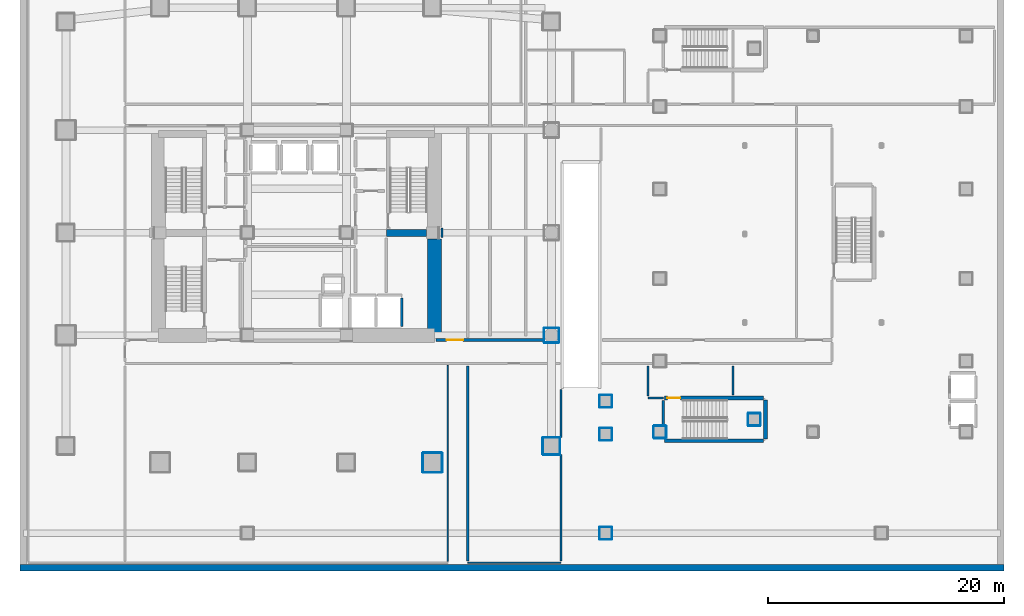
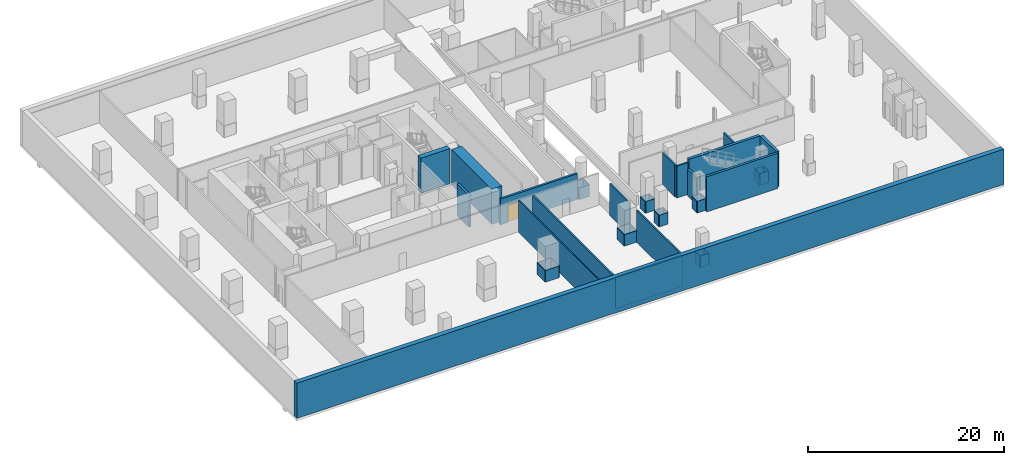
# One storey, part 9 of 22: 50 walls, 2 doors, 2 openings.
"""IFC4 building model written with IfcOpenShell, lengths in metres."""

import ifcopenshell
import ifcopenshell.guid

model = None  # the IFC model being written
_history = None  # IfcOwnerHistory: only IFC2X3 demands one
_inside = {}  # id of a spatial element -> (the spatial element, [elements in it])
_under = {}  # id of a project, library or spatial element -> (it, [spatial elements below it])
_declared = {}  # id of a project -> (the project, [libraries it declares])
_typed = {}  # id of a type object -> (the type object, [elements of that type])
_made_of = {}  # id of a material, layer set ... -> (it, [elements and type objects made of it])


def new_model(schema):
    """Start an empty IFC model of exactly this schema.

    Asked for "IFC4X3", IfcOpenShell would pick the latest addendum, in which some entities
    have other attributes; the version numbers below select the first issue.
    IFC2X3 requires an IfcOwnerHistory on every rooted entity: one is made here for all.
    """
    global model, _history
    if schema == "IFC4X3":
        model = ifcopenshell.file(schema_version=(4, 3, 0, 0))
    else:
        model = ifcopenshell.file(schema=schema)
    _inside.clear()
    _under.clear()
    _declared.clear()
    _typed.clear()
    _made_of.clear()
    _history = None
    if model.schema == "IFC2X3":
        org = make("IfcOrganization", Name="unknown")
        user = make(
            "IfcPersonAndOrganization",
            ThePerson=make("IfcPerson", FamilyName="unknown"),
            TheOrganization=org,
        )
        app = make(
            "IfcApplication",
            ApplicationDeveloper=org,
            Version="unknown",
            ApplicationFullName="unknown",
            ApplicationIdentifier="unknown",
        )
        _history = make(
            "IfcOwnerHistory",
            OwningUser=user,
            OwningApplication=app,
            ChangeAction="ADDED",
            CreationDate=0,
        )
    return model


def make(cls, **values):
    """One entity of the class cls with the attributes given. An attribute that is None is left unset."""
    return model.create_entity(
        cls, **{name: value for name, value in values.items() if value is not None}
    )


def rooted(cls, **values):
    """An entity with a GlobalId (a new one), such as an element, a storey or a relation."""
    return make(cls, GlobalId=ifcopenshell.guid.new(), OwnerHistory=_history, **values)


def si_unit(unit_type, name, prefix=None):
    """IfcSIUnit, for example si_unit("LENGTHUNIT", "METRE", prefix="MILLI")."""
    return make("IfcSIUnit", UnitType=unit_type, Prefix=prefix, Name=name)


def assignment(units):
    """IfcUnitAssignment: the units of a project."""
    return None if units is None else make("IfcUnitAssignment", Units=units)


def point(xyz):
    """IfcCartesianPoint."""
    return None if xyz is None else make("IfcCartesianPoint", Coordinates=xyz)


def direction(xyz):
    """IfcDirection."""
    return None if xyz is None else make("IfcDirection", DirectionRatios=xyz)


def frame(location, z_axis=None, x_axis=None):
    """IfcAxis2Placement3D, a coordinate frame: its origin and axes. An axis left out is left unset."""
    return make(
        "IfcAxis2Placement3D",
        Location=point(location),
        Axis=direction(z_axis),
        RefDirection=direction(x_axis),
    )


def frame_2d(location, x_axis=None):
    """IfcAxis2Placement2D, a coordinate frame in the plane: its origin and x axis."""
    return make(
        "IfcAxis2Placement2D", Location=point(location), RefDirection=direction(x_axis)
    )


def origin():
    """The frame at (0, 0, 0) with its axes left unset."""
    return frame((0.0, 0.0, 0.0))


def place(relative_to, where):
    """IfcLocalPlacement: puts the frame where relative to a parent placement (None: the world)."""
    return make(
        "IfcLocalPlacement", PlacementRelTo=relative_to, RelativePlacement=where
    )


def context(
    kind, dimensions, precision=None, world=None, true_north=None, identifier=None
):
    """IfcGeometricRepresentationContext, for example the 3D "Model" context."""
    return make(
        "IfcGeometricRepresentationContext",
        ContextIdentifier=identifier,
        ContextType=kind,
        CoordinateSpaceDimension=dimensions,
        Precision=precision,
        WorldCoordinateSystem=world,
        TrueNorth=true_north,
    )


def subcontext(parent, identifier, kind, view, scale=None):
    """IfcGeometricRepresentationSubContext, for example "Body" below "Model"."""
    return make(
        "IfcGeometricRepresentationSubContext",
        ContextIdentifier=identifier,
        ContextType=kind,
        ParentContext=parent,
        TargetScale=scale,
        TargetView=view,
    )


def project(units=None, contexts=None):
    """IfcProject with its units and contexts."""
    return rooted(
        "IfcProject",
        Name="project",
        RepresentationContexts=contexts,
        UnitsInContext=assignment(units),
    )


def spatial(cls, under=None, at=None, **own):
    """A site, building, storey or space (cls), placed at a placement, below another one or the project."""
    s = rooted(cls, ObjectPlacement=at, **own)
    if under is not None:
        _under.setdefault(under.id(), (under, []))[1].append(s)
    return s


def profile(cls, at=None, kind="AREA", **sizes):
    """A parametric profile (cls). Its sizes go by their IFC names, for example OverallWidth=200.0."""
    return make(cls, ProfileType=kind, Position=at, **sizes)


def rectangle(**sizes):
    """IfcRectangleProfileDef."""
    return profile("IfcRectangleProfileDef", **sizes)


def extrude(swept, where, along, depth):
    """IfcExtrudedAreaSolid: the profile swept, set in the frame where, extruded along a direction by depth."""
    return make(
        "IfcExtrudedAreaSolid",
        SweptArea=swept,
        Position=where,
        ExtrudedDirection=direction(along),
        Depth=depth,
    )


def shape(context_of_items, identifier, shape_type, items):
    """IfcShapeRepresentation: the items that make up one representation, for example the "Body"."""
    return make(
        "IfcShapeRepresentation",
        ContextOfItems=context_of_items,
        RepresentationIdentifier=identifier,
        RepresentationType=shape_type,
        Items=items,
    )


def material(Name=None, Category=None):
    """IfcMaterial."""
    return make("IfcMaterial", Name=Name, Category=Category)


def layer(
    of_material, thickness, ventilated=None, Name=None, Category=None, Priority=None
):
    """IfcMaterialLayer: one layer of a wall or slab, of a material (None: an air gap)."""
    return make(
        "IfcMaterialLayer",
        Material=of_material,
        LayerThickness=thickness,
        IsVentilated=ventilated,
        Name=Name,
        Category=Category,
        Priority=Priority,
    )


def layer_set(layers, Name=None):
    """IfcMaterialLayerSet."""
    return make("IfcMaterialLayerSet", MaterialLayers=layers, LayerSetName=Name)


def made_of(thing, what):
    """Note that an element or type object is made of a material, layer set ...; save() writes the relation."""
    if what is not None:
        _made_of.setdefault(what.id(), (what, []))[1].append(thing)
    return thing


def type_object(cls, material=None, **own):
    """A type object (cls), such as IfcWallType, which elements share."""
    return made_of(rooted(cls, **own), material)


def element(
    cls,
    number,
    at=None,
    inside=None,
    cuts=None,
    type_object=None,
    material=None,
    context=None,
    identifier="Body",
    shape_type=None,
    held_by="IfcProductDefinitionShape",
    body=None,
    shapes=None,
    **own,
):
    """One element of the class cls, such as IfcWall. Its Tag is "e" and its number.

    at: its placement. inside: the storey or other place that contains it. cuts: it is an
    opening in that element (IfcRelVoidsElement). A single representation is given by context,
    identifier, shape_type and body (its items); several are given by shapes. held_by: the class
    of the entity that holds the representations. save() writes the other relations.
    """
    e = rooted(cls, Tag="e%d" % number, ObjectPlacement=at, **own)
    if body is not None:
        shapes = [shape(context, identifier, shape_type, body)]
    if shapes is not None:
        e.Representation = make(held_by, Representations=shapes)
    if inside is not None:
        _inside.setdefault(inside.id(), (inside, []))[1].append(e)
    if cuts is not None:
        rooted(
            "IfcRelVoidsElement", RelatingBuildingElement=cuts, RelatedOpeningElement=e
        )
    if type_object is not None:
        _typed.setdefault(type_object.id(), (type_object, []))[1].append(e)
    return made_of(e, material)


def fill(opening, filler):
    """IfcRelFillsElement: the door or window that sits in an opening."""
    return rooted(
        "IfcRelFillsElement",
        RelatingOpeningElement=opening,
        RelatedBuildingElement=filler,
    )


def aggregate(whole, parts):
    """IfcRelAggregates: a whole, such as a stair, and the parts it consists of."""
    return rooted("IfcRelAggregates", RelatingObject=whole, RelatedObjects=parts)


def save(model, path):
    """Write the relations noted so far, then the file.

    IfcRelAggregates (storeys below a building ...), IfcRelContainedInSpatialStructure (elements
    in a storey), IfcRelDefinesByType, IfcRelAssociatesMaterial and IfcRelDeclares: one each for
    every whole, place, type object, material and project.
    """
    for whole, parts in _under.values():
        aggregate(whole, parts)
    for where, things in _inside.values():
        rooted(
            "IfcRelContainedInSpatialStructure",
            RelatedElements=things,
            RelatingStructure=where,
        )
    for kind, things in _typed.values():
        rooted("IfcRelDefinesByType", RelatedObjects=things, RelatingType=kind)
    for what, things in _made_of.values():
        rooted("IfcRelAssociatesMaterial", RelatedObjects=things, RelatingMaterial=what)
    for by, libraries in _declared.values():
        rooted("IfcRelDeclares", RelatingContext=by, RelatedDefinitions=libraries)
    model.write(path)


model = new_model("IFC4")

# Units and contexts
model_context = context("Model", 3, precision=1e-05, world=origin(), true_north=direction((0.0, 1.0)))
body_context = subcontext(model_context, "Body", "Model", "MODEL_VIEW")
ifc_project = project(units=[si_unit("LENGTHUNIT", "METRE"), si_unit("AREAUNIT", "SQUARE_METRE"), si_unit("VOLUMEUNIT", "CUBIC_METRE"), si_unit("PLANEANGLEUNIT", "RADIAN"), si_unit("MASSUNIT", "GRAM", prefix="KILO")], contexts=[model_context])

# Site, building, storey
site_placement = place(None, origin())
site = spatial("IfcSite", under=ifc_project, at=site_placement, CompositionType="ELEMENT")
building_placement = place(site_placement, origin())
building = spatial("IfcBuilding", under=site, at=building_placement, Name="Solanera Arch Residences", CompositionType="ELEMENT")
storey_placement = place(building_placement, frame((0.0, 0.0, -4.39990234375)))
storey = spatial("IfcBuildingStorey", under=building, at=storey_placement, Name="B01", CompositionType="ELEMENT", Elevation=-4.39990234375)

# Walls
ifc_material_1 = material(Name="Fire-Rated Gypsum Stud Partition", Category="gypsum")
ifc_layer_1 = layer(ifc_material_1, 0.06005859375)
ifc_layer_set_1 = layer_set([ifc_layer_1], Name="Fire-Rated Gypsum Stud Partition")
wall_type_1 = type_object("IfcWallType", Name="Column Acoustic Furring Wall 60", PredefinedType="PARTITIONING", material=ifc_layer_set_1)
for number, where, z_axis, x_axis, name in (
    (1, (35.699951171875, 10.367919921875, 0.0), (0.0, 0.0, 1.0), (1.0, 0.0, 0.0), "B01 Column Furring 10S"),
    (2, (35.699951171875, 12.031982421875, 0.0), (0.0, 0.0, 1.0), (1.0, 0.0, 0.0), "B01 Column Furring 10N"),
    (3, (35.66796875, 10.39990234375, 0.0), (0.0, 0.0, 1.0), (0.0, 1.0, 0.0), "B01 Column Furring 10W"),
    (4, (37.33203125, 10.39990234375, 0.0), (0.0, 0.0, 1.0), (0.0, 1.0, 0.0), "B01 Column Furring 10E"),
):
    element("IfcWall", number, at=place(storey_placement, frame(where, z_axis=z_axis, x_axis=x_axis)), inside=storey, type_object=wall_type_1, Name=name, PredefinedType="PARTITIONING", context=body_context, shape_type="SweptSolid", body=[
        extrude(rectangle(XDim=1.60009765625, YDim=0.06005859375, at=frame_2d((0.800048828125, 0.0))), origin(), (0.0, 0.0, 1.0), 1.449951171875),
    ])
for number, where, z_axis, x_axis, name in (
    (5, (46.0, 21.367919921875, 0.0), (0.0, 0.0, 1.0), (1.0, 0.0, 0.0), "B01 Column Furring 18S"),
    (6, (46.0, 22.632080078125, 0.0), (0.0, 0.0, 1.0), (1.0, 0.0, 0.0), "B01 Column Furring 18N"),
):
    element("IfcWall", number, at=place(storey_placement, frame(where, z_axis=z_axis, x_axis=x_axis)), inside=storey, type_object=wall_type_1, Name=name, PredefinedType="PARTITIONING", context=body_context, shape_type="SweptSolid", body=[
        extrude(rectangle(XDim=1.199951171875, YDim=0.06005859375, at=frame_2d((0.60009765625, 0.0))), origin(), (0.0, 0.0, 1.0), 1.449951171875),
    ])
for number, where, z_axis, x_axis, name in (
    (7, (45.968017578125, 21.39990234375, 0.0), (0.0, 0.0, 1.0), (0.0, 1.0, 0.0), "B01 Column Furring 18W"),
    (8, (47.23193359375, 21.39990234375, 0.0), (0.0, 0.0, 1.0), (0.0, 1.0, 0.0), "B01 Column Furring 18E"),
):
    element("IfcWall", number, at=place(storey_placement, frame(where, z_axis=z_axis, x_axis=x_axis)), inside=storey, type_object=wall_type_1, Name=name, PredefinedType="PARTITIONING", context=body_context, shape_type="SweptSolid", body=[
        extrude(rectangle(XDim=1.2001953125, YDim=0.06005859375, at=frame_2d((0.60009765625, 0.0))), origin(), (0.0, 0.0, 1.0), 1.449951171875),
    ])
for number, where, z_axis, x_axis, name in (
    (9, (45.89990234375, 11.867919921875, 0.0), (0.0, 0.0, 1.0), (1.0, 0.0, 0.0), "B01 Column Furring 22S"),
    (10, (45.89990234375, 13.33203125, 0.0), (0.0, 0.0, 1.0), (1.0, 0.0, 0.0), "B01 Column Furring 22N"),
    (11, (45.867919921875, 11.89990234375, 0.0), (0.0, 0.0, 1.0), (0.0, 1.0, 0.0), "B01 Column Furring 22W"),
    (12, (47.33203125, 11.89990234375, 0.0), (0.0, 0.0, 1.0), (0.0, 1.0, 0.0), "B01 Column Furring 22E"),
):
    element("IfcWall", number, at=place(storey_placement, frame(where, z_axis=z_axis, x_axis=x_axis)), inside=storey, type_object=wall_type_1, Name=name, PredefinedType="PARTITIONING", context=body_context, shape_type="SweptSolid", body=[
        extrude(rectangle(XDim=1.400146484375, YDim=0.06005859375, at=frame_2d((0.7001953125, 0.0))), origin(), (0.0, 0.0, 1.0), 1.449951171875),
    ])
for number, where, z_axis, x_axis, name in (
    (13, (50.699951171875, 13.068115234375, 0.0), (0.0, 0.0, 1.0), (1.0, 0.0, 0.0), "B01 Column Furring 33S"),
    (14, (50.699951171875, 14.132080078125, 0.0), (0.0, 0.0, 1.0), (1.0, 0.0, 0.0), "B01 Column Furring 33N"),
    (15, (50.66796875, 13.10009765625, 0.0), (0.0, 0.0, 1.0), (0.0, 1.0, 0.0), "B01 Column Furring 33W"),
    (16, (51.73193359375, 13.10009765625, 0.0), (0.0, 0.0, 1.0), (0.0, 1.0, 0.0), "B01 Column Furring 33E"),
    (17, (50.699951171875, 15.867919921875, 0.0), (0.0, 0.0, 1.0), (1.0, 0.0, 0.0), "B01 Column Furring 34S"),
    (18, (50.699951171875, 16.931884765625, 0.0), (0.0, 0.0, 1.0), (1.0, 0.0, 0.0), "B01 Column Furring 34N"),
    (19, (50.66796875, 15.89990234375, 0.0), (0.0, 0.0, 1.0), (0.0, 1.0, 0.0), "B01 Column Furring 34W"),
    (20, (51.73193359375, 15.89990234375, 0.0), (0.0, 0.0, 1.0), (0.0, 1.0, 0.0), "B01 Column Furring 34E"),
    (21, (50.699951171875, 4.66796875, 0.0), (0.0, 0.0, 1.0), (1.0, 0.0, 0.0), "B01 Column Furring 36S"),
    (22, (50.699951171875, 5.73193359375, 0.0), (0.0, 0.0, 1.0), (1.0, 0.0, 0.0), "B01 Column Furring 36N"),
    (23, (50.66796875, 4.699951171875, 0.0), (0.0, 0.0, 1.0), (0.0, 1.0, 0.0), "B01 Column Furring 36W"),
    (24, (51.73193359375, 4.699951171875, 0.0), (0.0, 0.0, 1.0), (0.0, 1.0, 0.0), "B01 Column Furring 36E"),
    (25, (63.300048828125, 14.327880859375, 0.0), (0.0, 0.0, 1.0), (1.0, 0.0, 0.0), "B01 Column Furring 41S"),
    (26, (63.300048828125, 15.39208984375, 0.0), (0.0, 0.0, 1.0), (1.0, 0.0, 0.0), "B01 Column Furring 41N"),
    (27, (63.26806640625, 14.360107421875, 0.0), (0.0, 0.0, 1.0), (0.0, 1.0, 0.0), "B01 Column Furring 41W"),
    (28, (64.33203125, 14.360107421875, 0.0), (0.0, 0.0, 1.0), (0.0, 1.0, 0.0), "B01 Column Furring 41E"),
    (29, (55.300048828125, 13.26806640625, 0.0), (0.0, 0.0, 1.0), (1.0, 0.0, 0.0), "B01 Column Furring 43S"),
    (30, (55.300048828125, 14.33203125, 0.0), (0.0, 0.0, 1.0), (1.0, 0.0, 0.0), "B01 Column Furring 43N"),
    (31, (55.26806640625, 13.300048828125, 0.0), (0.0, 0.0, 1.0), (0.0, 1.0, 0.0), "B01 Column Furring 43W"),
    (32, (56.33203125, 13.300048828125, 0.0), (0.0, 0.0, 1.0), (0.0, 1.0, 0.0), "B01 Column Furring 43E"),
):
    element("IfcWall", number, at=place(storey_placement, frame(where, z_axis=z_axis, x_axis=x_axis)), inside=storey, type_object=wall_type_1, Name=name, PredefinedType="PARTITIONING", context=body_context, shape_type="SweptSolid", body=[
        extrude(rectangle(XDim=1.0, YDim=0.06005859375, at=frame_2d((0.5, 0.0))), origin(), (0.0, 0.0, 1.0), 1.449951171875),
    ])
ifc_material_2 = material(Name="Concrete C55/67 (f'c = 60 MPa)", Category="concrete")
ifc_layer_2 = layer(ifc_material_2, 1.199951171875)
ifc_layer_set_2 = layer_set([ifc_layer_2], Name="Concrete C55/67 (f'c = 60 MPa)")
wall_type_2 = type_object("IfcWallType", Name="Core Shear Wall CW-1200", PredefinedType="SHEAR", material=ifc_layer_set_2)
wall_1_placement = place(storey_placement, frame((36.659912109375, 22.0, 0.0), z_axis=(0.0, 0.0, 1.0), x_axis=(0.0, 1.0, 0.0)))
element("IfcWall", 33, at=wall_1_placement, inside=storey, type_object=wall_type_2, Name="B01 East Core South Shear Wall", PredefinedType="SHEAR", context=body_context, shape_type="SweptSolid", body=[
    extrude(rectangle(XDim=8.195068359375, YDim=1.199951171875, at=frame_2d((4.09765625, 0.0))), origin(), (0.0, 0.0, 1.0), 4.39990234375),
])
ifc_material_3 = material(Name="Concrete C40/50 (f'c = 45 MPa)", Category="concrete")
ifc_layer_3 = layer(ifc_material_3, 0.320068359375)
ifc_layer_set_3 = layer_set([ifc_layer_3], Name="Concrete C40/50 (f'c = 45 MPa)")
wall_type_3 = type_object("IfcWallType", Name="Core Shear Wall CW-320", PredefinedType="SHEAR", material=ifc_layer_set_3)
wall_2_placement = place(storey_placement, frame((64.760009765625, 13.199951171875, 0.0), z_axis=(0.0, 0.0, 1.0), x_axis=(0.0, 1.0, 0.0)))
element("IfcWall", 34, at=wall_2_placement, inside=storey, type_object=wall_type_3, Name="B01 Stair ST-H1 East Shear Wall", PredefinedType="SHEAR", context=body_context, shape_type="SweptSolid", body=[
    extrude(rectangle(XDim=3.320068359375, YDim=0.320068359375, at=frame_2d((1.66015625, 0.0))), origin(), (0.0, 0.0, 1.0), 4.39990234375),
])
wall_3_placement = place(storey_placement, frame((56.199951171875, 13.06005859375, 0.0), z_axis=(0.0, 0.0, 1.0), x_axis=(1.0, 0.0, 0.0)))
element("IfcWall", 35, at=wall_3_placement, inside=storey, type_object=wall_type_3, Name="B01 Stair ST-H1 South Shear Wall", PredefinedType="SHEAR", context=body_context, shape_type="SweptSolid", body=[
    extrude(rectangle(XDim=8.400146484375, YDim=0.280029296875, at=frame_2d((4.2001953125, 0.0))), origin(), (0.0, 0.0, 1.0), 4.39990234375),
])

# Wall, opening, door
wall_4_placement = place(storey_placement, frame((56.199951171875, 16.679931640625, 0.0), z_axis=(0.0, 0.0, 1.0), x_axis=(1.0, 0.0, 0.0)))
wall_4 = element("IfcWall", 36, at=wall_4_placement, inside=storey, type_object=wall_type_3, Name="B01 Stair ST-H1 North Shear Wall", PredefinedType="SHEAR", context=body_context, shape_type="SweptSolid", body=[
    extrude(rectangle(XDim=8.400146484375, YDim=0.320068359375, at=frame_2d((4.2001953125, 0.0))), origin(), (0.0, 0.0, 1.0), 4.39990234375),
])
opening_1_placement = place(wall_4_placement, frame((0.22998046875, 0.0, 0.0)))
opening_1 = element("IfcOpeningElement", 37, at=opening_1_placement, cuts=wall_4, Name="Opening DF-01", PredefinedType="OPENING", context=body_context, shape_type="SweptSolid", body=[
    extrude(rectangle(XDim=1.10009765625, YDim=2.14990234375, at=frame_2d((0.550048828125, 1.074951171875))), frame((0.0, 0.169921875, 0.0), z_axis=(0.0, -1.0, 0.0), x_axis=(1.0, 0.0, 0.0)), (0.0, 0.0, 1.0), 0.3401),
])
ifc_material_4 = material(Name="Fire-Rated Architectural Hardwood", Category="wood")
door_type_1 = type_object("IfcDoorType", Name="Stair Exit Fire Door DF-01", OperationType="NOTDEFINED", PredefinedType="DOOR", material=ifc_material_4)
door_1_placement = place(opening_1_placement, origin())
door_1 = element("IfcDoor", 38, at=door_1_placement, inside=storey, type_object=door_type_1, Name="DR-B01-STAIR-ST-H1", OperationType="SINGLE_SWING_LEFT", OverallHeight=2.14990234375, OverallWidth=1.10009765625, PredefinedType="DOOR", context=body_context, shape_type="SweptSolid", body=[
    extrude(rectangle(XDim=1.10009765625, YDim=2.14990234375, at=frame_2d((0.550048828125, 1.074951171875))), frame((0.0, 0.02490234375, 0.0), z_axis=(0.0, -1.0, 0.0), x_axis=(1.0, 0.0, 0.0)), (0.0, 0.0, 1.0), 0.050048828125),
])
fill(opening_1, door_1)

# Walls
ifc_material_5 = material(Name="Concrete C40/50 (f'c = 45 MPa)", Category="concrete")
ifc_layer_4 = layer(ifc_material_5, 0.60009765625)
ifc_layer_set_4 = layer_set([ifc_layer_4], Name="Concrete C40/50 (f'c = 45 MPa)")
wall_type_4 = type_object("IfcWallType", Name="Core Shear Wall CW-600", PredefinedType="SHEAR", material=ifc_layer_set_4)
wall_5_placement = place(storey_placement, frame((32.580078125, 30.699951171875, 0.0), z_axis=(0.0, 0.0, 1.0), x_axis=(1.0, 0.0, 0.0)))
element("IfcWall", 39, at=wall_5_placement, inside=storey, type_object=wall_type_4, Name="B01 East Stair Far-Landing Shear Wall", PredefinedType="SHEAR", context=body_context, shape_type="SweptSolid", body=[
    extrude(rectangle(XDim=3.4150390625, YDim=0.60009765625, at=frame_2d((1.70751953125, 0.0))), origin(), (0.0, 0.0, 1.0), 4.39990234375),
])
ifc_material_6 = material(Name="Autoclaved Aerated Concrete Blockwork", Category="masonry")
ifc_layer_5 = layer(ifc_material_6, 0.179931640625)
ifc_layer_set_5 = layer_set([ifc_layer_5], Name="Autoclaved Aerated Concrete Blockwork")
wall_type_5 = type_object("IfcWallType", Name="Corridor Fire Partition 180", PredefinedType="PARTITIONING", material=ifc_layer_set_5)
wall_6_placement = place(storey_placement, frame((54.800048828125, 16.679931640625, 0.0), z_axis=(0.0, 0.0, 1.0), x_axis=(1.0, 0.0, 0.0)))
element("IfcWall", 40, at=wall_6_placement, inside=storey, type_object=wall_type_5, Name="B01 Interior Partition H10", PredefinedType="PARTITIONING", context=body_context, shape_type="SweptSolid", body=[
    extrude(rectangle(XDim=1.300048828125, YDim=0.179931640625, at=frame_2d((0.64990234375, 0.0))), origin(), (0.0, 0.0, 1.0), 3.97998046875),
])
wall_7_placement = place(storey_placement, frame((37.300048828125, 30.287109375, 0.0), z_axis=(0.0, 0.0, 1.0), x_axis=(0.0, 1.0, 0.0)))
element("IfcWall", 41, at=wall_7_placement, inside=storey, type_object=wall_type_5, Name="B01 Interior Partition V12", PredefinedType="PARTITIONING", context=body_context, shape_type="SweptSolid", body=[
    extrude(rectangle(XDim=0.825927734375, YDim=0.179931640625, at=frame_2d((0.4130859375, 0.0))), origin(), (0.0, 0.0, 1.0), 3.97998046875),
])
wall_8_placement = place(storey_placement, frame((39.5, 2.85791015625, 0.0), z_axis=(0.0, 0.0, 1.0), x_axis=(0.0, 1.0, 0.0)))
element("IfcWall", 42, at=wall_8_placement, inside=storey, type_object=wall_type_5, Name="B01 Interior Partition V13", PredefinedType="PARTITIONING", context=body_context, shape_type="SweptSolid", body=[
    extrude(rectangle(XDim=16.55419921875, YDim=0.179931640625, at=frame_2d((8.277099609375, 0.0))), origin(), (0.0, 0.0, 1.0), 3.97998046875),
])
wall_9_placement = place(storey_placement, frame((47.39990234375, 2.85791015625, 0.0), z_axis=(0.0, 0.0, 1.0), x_axis=(0.0, 1.0, 0.0)))
element("IfcWall", 43, at=wall_9_placement, inside=storey, type_object=wall_type_5, Name="B01 Interior Partition V15 1", PredefinedType="PARTITIONING", context=body_context, shape_type="SweptSolid", body=[
    extrude(rectangle(XDim=9.02197265625, YDim=0.179931640625, at=frame_2d((4.510986328125, 0.0))), origin(), (0.0, 0.0, 1.0), 3.97998046875),
])
wall_10_placement = place(storey_placement, frame((47.39990234375, 13.320068359375, 0.0), z_axis=(0.0, 0.0, 1.0), x_axis=(0.0, 1.0, 0.0)))
element("IfcWall", 44, at=wall_10_placement, inside=storey, type_object=wall_type_5, Name="B01 Interior Partition V15 2", PredefinedType="PARTITIONING", context=body_context, shape_type="SweptSolid", body=[
    extrude(rectangle(XDim=4.08203125, YDim=0.179931640625, at=frame_2d((2.041015625, 0.0))), origin(), (0.0, 0.0, 1.0), 3.97998046875),
])
wall_11_placement = place(storey_placement, frame((54.800048828125, 16.867919921875, 0.0), z_axis=(0.0, 0.0, 1.0), x_axis=(0.0, 1.0, 0.0)))
element("IfcWall", 45, at=wall_11_placement, inside=storey, type_object=wall_type_5, Name="B01 Interior Partition V17", PredefinedType="PARTITIONING", context=body_context, shape_type="SweptSolid", body=[
    extrude(rectangle(XDim=2.544189453125, YDim=0.179931640625, at=frame_2d((1.27197265625, 0.0))), origin(), (0.0, 0.0, 1.0), 3.97998046875),
])
ifc_material_7 = material(Name="Autoclaved Aerated Concrete Blockwork", Category="masonry")
ifc_layer_6 = layer(ifc_material_7, 0.199951171875)
ifc_layer_set_6 = layer_set([ifc_layer_6], Name="Autoclaved Aerated Concrete Blockwork")
wall_type_6 = type_object("IfcWallType", Name="Party Wall Acoustic 200", PredefinedType="PARTITIONING", material=ifc_layer_set_6)
wall_12_placement = place(storey_placement, frame((62.0, 16.949951171875, 0.0), z_axis=(0.0, 0.0, 1.0), x_axis=(0.0, 1.0, 0.0)))
element("IfcWall", 46, at=wall_12_placement, inside=storey, type_object=wall_type_6, Name="B01 Interior Partition V7", PredefinedType="PARTITIONING", context=body_context, shape_type="SweptSolid", body=[
    extrude(rectangle(XDim=2.4521484375, YDim=0.199951171875, at=frame_2d((1.22607421875, 0.0))), origin(), (0.0, 0.0, 1.0), 3.97998046875),
])
ifc_material_8 = material(Name="Autoclaved Aerated Concrete Blockwork", Category="masonry")
ifc_layer_7 = layer(ifc_material_8, 0.239990234375)
ifc_layer_set_7 = layer_set([ifc_layer_7], Name="Autoclaved Aerated Concrete Blockwork")
wall_type_7 = type_object("IfcWallType", Name="Shaft Wall Fire-Rated 240", PredefinedType="PARTITIONING", material=ifc_layer_set_7)
wall_13_placement = place(storey_placement, frame((56.080078125, 14.431884765625, 0.0), z_axis=(0.0, 0.0, 1.0), x_axis=(0.0, 1.0, 0.0)))
element("IfcWall", 47, at=wall_13_placement, inside=storey, type_object=wall_type_7, Name="B01 Stair ST-H1 West Wall", PredefinedType="PARTITIONING", context=body_context, shape_type="SweptSolid", body=[
    extrude(rectangle(XDim=2.0380859375, YDim=0.239990234375, at=frame_2d((1.01904296875, 0.0))), origin(), (0.0, 0.0, 1.0), 3.31494140625),
])
wall_14_placement = place(storey_placement, frame((33.89990234375, 22.72998046875, 0.0), z_axis=(0.0, 0.0, 1.0), x_axis=(0.0, 1.0, 0.0)))
element("IfcWall", 48, at=wall_14_placement, inside=storey, type_object=wall_type_7, Name="B01 Lift FFL-2 Hoistway Wall E", PredefinedType="PARTITIONING", context=body_context, shape_type="SweptSolid", body=[
    extrude(rectangle(XDim=2.422119140625, YDim=0.239990234375, at=frame_2d((1.2109375, 0.0))), origin(), (0.0, 0.0, 1.0), 3.97998046875),
])

# Wall, opening, door
wall_15_placement = place(storey_placement, frame((36.7900390625, 21.60009765625, 0.0), z_axis=(0.0, 0.0, 1.0), x_axis=(1.0, 0.0, 0.0)))
wall_15 = element("IfcWall", 49, at=wall_15_placement, inside=storey, type_object=wall_type_7, Name="B01 Interior Partition H1 3", PredefinedType="PARTITIONING", context=body_context, shape_type="SweptSolid", body=[
    extrude(rectangle(XDim=9.077880859375, YDim=0.239990234375, at=frame_2d((4.5390625, 0.0))), origin(), (0.0, 0.0, 1.0), 3.21484375),
])
opening_2_placement = place(wall_15_placement, frame((0.909912109375, 0.0, 0.0)))
opening_2 = element("IfcOpeningElement", 50, at=opening_2_placement, cuts=wall_15, Name="Opening DF-03", PredefinedType="OPENING", context=body_context, shape_type="SweptSolid", body=[
    extrude(rectangle(XDim=1.39990234375, YDim=2.14990234375, at=frame_2d((0.699951171875, 1.074951171875))), frame((0.0, 0.1298828125, 0.0), z_axis=(0.0, -1.0, 0.0), x_axis=(1.0, 0.0, 0.0)), (0.0, 0.0, 1.0), 0.26),
])
ifc_material_9 = material(Name="Fire-Rated Architectural Hardwood", Category="wood")
door_type_2 = type_object("IfcDoorType", Name="Corridor Smoke Door DF-03", OperationType="NOTDEFINED", PredefinedType="DOOR", material=ifc_material_9)
door_2_placement = place(opening_2_placement, origin())
door_2 = element("IfcDoor", 51, at=door_2_placement, inside=storey, type_object=door_type_2, Name="DR-B01-IN-016", OperationType="SINGLE_SWING_LEFT", OverallHeight=2.14990234375, OverallWidth=1.39990234375, PredefinedType="DOOR", context=body_context, shape_type="SweptSolid", body=[
    extrude(rectangle(XDim=1.39990234375, YDim=2.14990234375, at=frame_2d((0.699951171875, 1.074951171875))), frame((0.0, 0.02490234375, 0.0), z_axis=(0.0, -1.0, 0.0), x_axis=(1.0, 0.0, 0.0)), (0.0, 0.0, 1.0), 0.050048828125),
])
fill(opening_2, door_2)

# Walls
ifc_material_10 = material(Name="Concrete C40/50 (f'c = 45 MPa)", Category="concrete")
ifc_layer_8 = layer(ifc_material_10, 0.550048828125)
ifc_layer_set_8 = layer_set([ifc_layer_8], Name="Concrete C40/50 (f'c = 45 MPa)")
wall_type_8 = type_object("IfcWallType", Name="Solid Exterior Wall Substructure 550", PredefinedType="SOLIDWALL", material=ifc_layer_set_8)
wall_16_placement = place(storey_placement, frame((1.5, 2.27490234375, 0.0), z_axis=(0.0, 0.0, 1.0), x_axis=(1.0, 0.0, 0.0)))
element("IfcWall", 52, at=wall_16_placement, inside=storey, type_object=wall_type_8, Name="B01 South Basement Retaining Wall", PredefinedType="SOLIDWALL", context=body_context, shape_type="SweptSolid", body=[
    extrude(rectangle(XDim=83.5, YDim=0.550048828125, at=frame_2d((41.75, 0.0))), origin(), (0.0, 0.0, 1.0), 4.39990234375),
])
ifc_material_11 = material(Name="Fire-Rated Gypsum Stud Partition", Category="gypsum")
ifc_layer_9 = layer(ifc_material_11, 0.1201171875)
ifc_layer_set_9 = layer_set([ifc_layer_9], Name="Fire-Rated Gypsum Stud Partition")
wall_type_9 = type_object("IfcWallType", Name="Unit Drywall Partition 120", PredefinedType="PARTITIONING", material=ifc_layer_set_9)
wall_17_placement = place(storey_placement, frame((39.5, 2.699951171875, 0.0), z_axis=(0.0, 0.0, 1.0), x_axis=(1.0, 0.0, 0.0)))
element("IfcWall", 53, at=wall_17_placement, inside=storey, type_object=wall_type_9, Name="B01 Interior Partition H21", PredefinedType="PARTITIONING", context=body_context, shape_type="SweptSolid", body=[
    extrude(rectangle(XDim=7.89990234375, YDim=0.1201171875, at=frame_2d((3.949951171875, 0.0))), origin(), (0.0, 0.0, 1.0), 3.97998046875),
])
wall_18_placement = place(storey_placement, frame((37.800048828125, 2.827880859375, 0.0), z_axis=(0.0, 0.0, 1.0), x_axis=(0.0, 1.0, 0.0)))
element("IfcWall", 54, at=wall_18_placement, inside=storey, type_object=wall_type_9, Name="B01 Interior Partition V25", PredefinedType="PARTITIONING", context=body_context, shape_type="SweptSolid", body=[
    extrude(rectangle(XDim=16.614013671875, YDim=0.1201171875, at=frame_2d((8.30712890625, 0.0))), origin(), (0.0, 0.0, 1.0), 3.97998046875),
])

save(model, "model.ifc")
